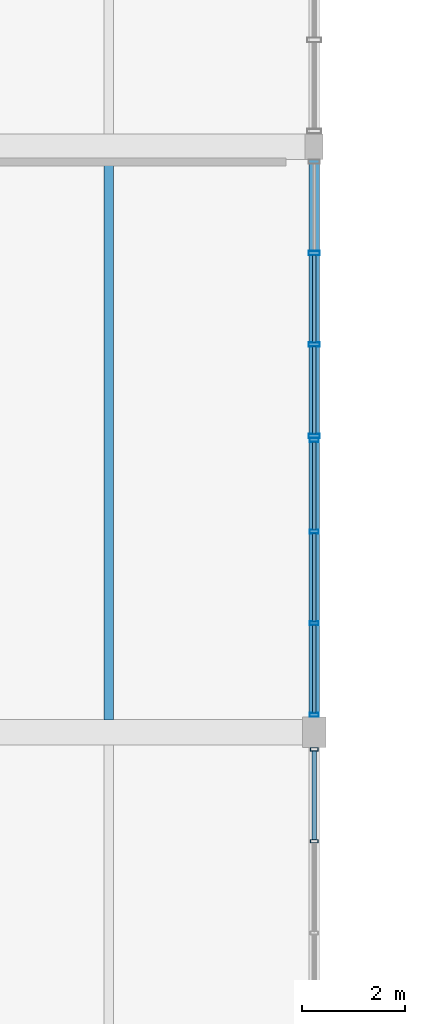
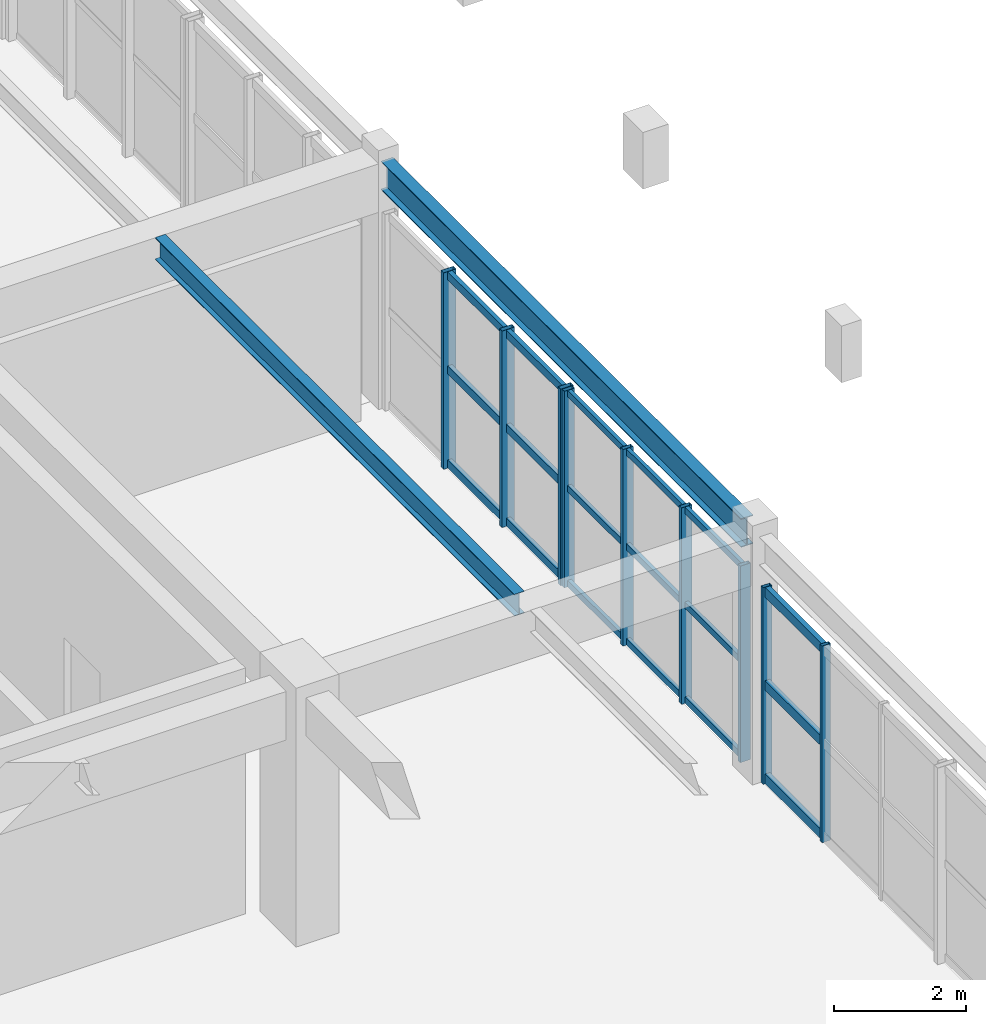
# One storey, part 25 of 106: 27 members, 2 beams, 3 elements without a shape of their own.
"""IFC4 building model written with IfcOpenShell, lengths in metres."""

from ifc_helpers import new_model, si_unit, direction, frame, origin, origin_2d, place, context, subcontext, project, spatial, hollow_rectangle, i_section, extrude, material, layer, layer_set, material_profile, profile_set, type_object, element, aggregate, save


model = new_model("IFC4")

# Units and contexts
model_context = context("Model", 3, precision=1e-05, world=origin(), true_north=direction((0.0, 1.0)))
body_context = subcontext(model_context, "Body", "Model", "MODEL_VIEW")
ifc_project = project(units=[si_unit("LENGTHUNIT", "METRE"), si_unit("AREAUNIT", "SQUARE_METRE"), si_unit("VOLUMEUNIT", "CUBIC_METRE"), si_unit("PLANEANGLEUNIT", "RADIAN"), si_unit("MASSUNIT", "GRAM", prefix="KILO"), si_unit("POWERUNIT", "WATT"), si_unit("THERMODYNAMICTEMPERATUREUNIT", "KELVIN")], contexts=[model_context])

# Site, building, storey
site_placement = place(None, origin())
site = spatial("IfcSite", under=ifc_project, at=site_placement, CompositionType="ELEMENT")
building_placement = place(site_placement, origin())
building = spatial("IfcBuilding", under=site, at=building_placement, Name="Kelmbourne Parkland Aquatics Centre", CompositionType="ELEMENT")
storey_placement = place(building_placement, frame((0.0, 0.0, 5.39990234375)))
storey = spatial("IfcBuildingStorey", under=building, at=storey_placement, Name="L01", CompositionType="ELEMENT", Elevation=5.39990234375)

# Beams
ifc_material_1 = material(Name="Structural steel AS/NZS 3679.1 Grade 300", Category="steel")
ifc_material_profile_1 = material_profile(ifc_material_1, i_section(OverallWidth=0.177978515625, OverallDepth=0.406005859375, WebThickness=0.0078125, FlangeThickness=0.0126953125, at=origin_2d()), Name="410UB59.7")
ifc_profile_set_1 = profile_set([ifc_material_profile_1], Name="Structural steel AS/NZS 3679.1 Grade 300")
beam_type_1 = type_object("IfcBeamType", Name="BM-J01", PredefinedType="JOIST", material=ifc_profile_set_1)
beam_1_placement = place(storey_placement, frame((36.0, 35.241943359375, 4.357177734375), z_axis=(0.0, 1.0, 0.0), x_axis=(-1.0, 0.0, 0.0)))
element("IfcBeam", 1, at=beam_1_placement, inside=storey, type_object=beam_type_1, Name="Secondary floor joist E-F/05-06 #1 (L02)", PredefinedType="JOIST", context=body_context, shape_type="SweptSolid", body=[
    extrude(i_section(OverallWidth=0.177978515625, OverallDepth=0.406005859375, WebThickness=0.0078125, FlangeThickness=0.0126953125, at=origin_2d()), origin(), (0.0, 0.0, 1.0), 10.916015625),
])
ifc_material_profile_2 = material_profile(ifc_material_1, i_section(OverallWidth=0.208984375, OverallDepth=0.532958984375, WebThickness=0.01025390625, FlangeThickness=0.015625, at=origin_2d()), Name="530UB92.4")
ifc_profile_set_2 = profile_set([ifc_material_profile_2], Name="Structural steel AS/NZS 3679.1 Grade 300")
beam_type_2 = type_object("IfcBeamType", Name="BM-SP02", PredefinedType="SPANDREL", material=ifc_profile_set_2)
beam_2_placement = place(storey_placement, frame((40.0, 35.2548828125, 4.293701171875), z_axis=(0.0, 1.0, 0.0), x_axis=(-1.0, 0.0, 0.0)))
element("IfcBeam", 2, at=beam_2_placement, inside=storey, type_object=beam_type_2, Name="Perimeter spandrel 05-06 Grid F (L02)", PredefinedType="SPANDREL", context=body_context, shape_type="SweptSolid", body=[
    extrude(i_section(OverallWidth=0.208984375, OverallDepth=0.532958984375, WebThickness=0.01025390625, FlangeThickness=0.015625, at=origin_2d()), origin(), (0.0, 0.0, 1.0), 10.940185546875),
])

# Curtain wall, members
ifc_material_2 = material(Name="Thermally broken anodised aluminium framing", Category="aluminium")
ifc_layer_1 = layer(ifc_material_2, 0.179931640625)
ifc_layer_set_1 = layer_set([ifc_layer_1], Name="Thermally broken anodised aluminium framing")
curtain_wall_type_1 = type_object("IfcCurtainWallType", Name="CW-14", PredefinedType="NOTDEFINED", material=ifc_layer_set_1)
curtain_wall_1_placement = place(storey_placement, origin())
curtain_wall_1 = element("IfcCurtainWall", 3, at=curtain_wall_1_placement, inside=storey, type_object=curtain_wall_type_1, Name="Facade curtain wall CW-L01-230", PredefinedType="NOTDEFINED")
ifc_material_profile_3 = material_profile(ifc_material_2, hollow_rectangle(XDim=0.06494140625, YDim=0.14990234375, WallThickness=0.00390625, at=origin_2d()), Name="CW-M 65x150")
ifc_profile_set_3 = profile_set([ifc_material_profile_3], Name="Thermally broken anodised aluminium framing")
member_type_1 = type_object("IfcMemberType", Name="MB-MUL-1", PredefinedType="MULLION", material=ifc_profile_set_3)
member_1_placement = place(storey_placement, frame((40.0, 32.87939453125, 0.0), z_axis=(0.0, 0.0, 1.0), x_axis=(0.0, 1.0, 0.0)))
member_1 = element("IfcMember", 4, at=member_1_placement, type_object=member_type_1, Name="CW-L01-230 mullion 2", PredefinedType="MULLION", context=body_context, shape_type="SweptSolid", body=[
    extrude(hollow_rectangle(XDim=0.06494140625, YDim=0.14990234375, WallThickness=0.00390625, at=origin_2d()), origin(), (0.0, 0.0, 1.0), 3.64501953125),
])
member_2_placement = place(storey_placement, frame((40.0, 34.66552734375, 0.0), z_axis=(0.0, 0.0, 1.0), x_axis=(0.0, 1.0, 0.0)))
member_2 = element("IfcMember", 5, at=member_2_placement, type_object=member_type_1, Name="CW-L01-230 mullion 3", PredefinedType="MULLION", context=body_context, shape_type="SweptSolid", body=[
    extrude(hollow_rectangle(XDim=0.06494140625, YDim=0.14990234375, WallThickness=0.00390625, at=origin_2d()), origin(), (0.0, 0.0, 1.0), 3.64501953125),
])

ifc_layer_2 = layer(ifc_material_2, 0.179931640625)
ifc_layer_set_2 = layer_set([ifc_layer_2], Name="Thermally broken anodised aluminium framing")
curtain_wall_type_2 = type_object("IfcCurtainWallType", Name="CW-15", PredefinedType="NOTDEFINED", material=ifc_layer_set_2)
curtain_wall_2_placement = place(storey_placement, origin())
curtain_wall_2 = element("IfcCurtainWall", 6, at=curtain_wall_2_placement, inside=storey, type_object=curtain_wall_type_2, Name="Facade curtain wall CW-L01-231", PredefinedType="NOTDEFINED")
ifc_material_profile_4 = material_profile(ifc_material_2, hollow_rectangle(XDim=0.074951171875, YDim=0.179931640625, WallThickness=0.00439453125, at=origin_2d()), Name="CW-M 75x180")
ifc_profile_set_4 = profile_set([ifc_material_profile_4], Name="Thermally broken anodised aluminium framing")
member_type_2 = type_object("IfcMemberType", Name="MB-MUL-2", PredefinedType="MULLION", material=ifc_profile_set_4)
member_3_placement = place(storey_placement, frame((40.0, 35.339599609375, 0.0), z_axis=(0.0, 0.0, 1.0), x_axis=(0.0, 1.0, 0.0)))
member_3 = element("IfcMember", 7, at=member_3_placement, type_object=member_type_2, Name="CW-L01-231 mullion 0", PredefinedType="MULLION", context=body_context, shape_type="SweptSolid", body=[
    extrude(hollow_rectangle(XDim=0.074951171875, YDim=0.179931640625, WallThickness=0.00439453125, at=origin_2d()), origin(), (0.0, 0.0, 1.0), 3.64501953125),
])
member_4_placement = place(storey_placement, frame((40.0, 37.122314453125, 0.0), z_axis=(0.0, 0.0, 1.0), x_axis=(0.0, 1.0, 0.0)))
member_4 = element("IfcMember", 8, at=member_4_placement, type_object=member_type_2, Name="CW-L01-231 mullion 1", PredefinedType="MULLION", context=body_context, shape_type="SweptSolid", body=[
    extrude(hollow_rectangle(XDim=0.074951171875, YDim=0.179931640625, WallThickness=0.00439453125, at=origin_2d()), origin(), (0.0, 0.0, 1.0), 3.64501953125),
])
member_5_placement = place(storey_placement, frame((40.0, 38.90478515625, 0.0), z_axis=(0.0, 0.0, 1.0), x_axis=(0.0, 1.0, 0.0)))
member_5 = element("IfcMember", 9, at=member_5_placement, type_object=member_type_2, Name="CW-L01-231 mullion 2", PredefinedType="MULLION", context=body_context, shape_type="SweptSolid", body=[
    extrude(hollow_rectangle(XDim=0.074951171875, YDim=0.179931640625, WallThickness=0.00439453125, at=origin_2d()), origin(), (0.0, 0.0, 1.0), 3.64501953125),
])
member_6_placement = place(storey_placement, frame((40.0, 40.6875, 0.0), z_axis=(0.0, 0.0, 1.0), x_axis=(0.0, 1.0, 0.0)))
member_6 = element("IfcMember", 10, at=member_6_placement, type_object=member_type_2, Name="CW-L01-231 mullion 3", PredefinedType="MULLION", context=body_context, shape_type="SweptSolid", body=[
    extrude(hollow_rectangle(XDim=0.074951171875, YDim=0.179931640625, WallThickness=0.00439453125, at=origin_2d()), origin(), (0.0, 0.0, 1.0), 3.64501953125),
])

ifc_layer_3 = layer(ifc_material_2, 0.179931640625)
ifc_layer_set_3 = layer_set([ifc_layer_3], Name="Thermally broken anodised aluminium framing")
curtain_wall_type_3 = type_object("IfcCurtainWallType", Name="CW-16", PredefinedType="NOTDEFINED", material=ifc_layer_set_3)
curtain_wall_3_placement = place(storey_placement, origin())
curtain_wall_3 = element("IfcCurtainWall", 11, at=curtain_wall_3_placement, inside=storey, type_object=curtain_wall_type_3, Name="Facade curtain wall CW-L01-232", PredefinedType="NOTDEFINED")
ifc_material_profile_5 = material_profile(ifc_material_2, hollow_rectangle(XDim=0.0849609375, YDim=0.219970703125, WallThickness=0.0048828125, at=origin_2d()), Name="CW-M 85x220")
ifc_profile_set_5 = profile_set([ifc_material_profile_5], Name="Thermally broken anodised aluminium framing")
member_type_3 = type_object("IfcMemberType", Name="MB-MUL-3", PredefinedType="MULLION", material=ifc_profile_set_5)
member_7_placement = place(storey_placement, frame((40.0, 40.767578125, 0.0), z_axis=(0.0, 0.0, 1.0), x_axis=(0.0, 1.0, 0.0)))
member_7 = element("IfcMember", 12, at=member_7_placement, type_object=member_type_3, Name="CW-L01-232 mullion 0", PredefinedType="MULLION", context=body_context, shape_type="SweptSolid", body=[
    extrude(hollow_rectangle(XDim=0.0849609375, YDim=0.219970703125, WallThickness=0.0048828125, at=origin_2d()), origin(), (0.0, 0.0, 1.0), 3.64501953125),
])
member_8_placement = place(storey_placement, frame((40.0, 42.546875, 0.0), z_axis=(0.0, 0.0, 1.0), x_axis=(0.0, 1.0, 0.0)))
member_8 = element("IfcMember", 13, at=member_8_placement, type_object=member_type_3, Name="CW-L01-232 mullion 1", PredefinedType="MULLION", context=body_context, shape_type="SweptSolid", body=[
    extrude(hollow_rectangle(XDim=0.0849609375, YDim=0.219970703125, WallThickness=0.0048828125, at=origin_2d()), origin(), (0.0, 0.0, 1.0), 3.64501953125),
])
member_9_placement = place(storey_placement, frame((40.0, 44.326171875, 0.0), z_axis=(0.0, 0.0, 1.0), x_axis=(0.0, 1.0, 0.0)))
member_9 = element("IfcMember", 14, at=member_9_placement, type_object=member_type_3, Name="CW-L01-232 mullion 2", PredefinedType="MULLION", context=body_context, shape_type="SweptSolid", body=[
    extrude(hollow_rectangle(XDim=0.0849609375, YDim=0.219970703125, WallThickness=0.0048828125, at=origin_2d()), origin(), (0.0, 0.0, 1.0), 3.64501953125),
])

# Member
ifc_material_profile_6 = material_profile(ifc_material_2, hollow_rectangle(XDim=0.06494140625, YDim=0.1201171875, WallThickness=0.00341796875, at=origin_2d()), Name="CW-T 65x120")
ifc_profile_set_6 = profile_set([ifc_material_profile_6], Name="Thermally broken anodised aluminium framing")
member_type_4 = type_object("IfcMemberType", Name="MB-TRN-1", PredefinedType="USERDEFINED", material=ifc_profile_set_6)
member_10_placement = place(storey_placement, frame((40.0, 35.373046875, 0.06298828125), z_axis=(0.0, 1.0, 0.0), x_axis=(-1.0, 0.0, 0.0)))
member_10 = element("IfcMember", 15, at=member_10_placement, type_object=member_type_4, Name="CW-L01-231 transom 0-0", ObjectType="TRANSOM", PredefinedType="USERDEFINED", context=body_context, shape_type="SweptSolid", body=[
    extrude(hollow_rectangle(XDim=0.06494140625, YDim=0.1201171875, WallThickness=0.00341796875, at=origin_2d()), origin(), (0.0, 0.0, 1.0), 1.715576171875),
])

member_11_placement = place(storey_placement, frame((40.0, 37.15576171875, 0.06298828125), z_axis=(0.0, 1.0, 0.0), x_axis=(-1.0, 0.0, 0.0)))
member_11 = element("IfcMember", 16, at=member_11_placement, type_object=member_type_4, Name="CW-L01-231 transom 0-1", ObjectType="TRANSOM", PredefinedType="USERDEFINED", context=body_context, shape_type="SweptSolid", body=[
    extrude(hollow_rectangle(XDim=0.06494140625, YDim=0.1201171875, WallThickness=0.00341796875, at=origin_2d()), origin(), (0.0, 0.0, 1.0), 1.715576171875),
])

member_12_placement = place(storey_placement, frame((40.0, 38.938232421875, 0.06298828125), z_axis=(0.0, 1.0, 0.0), x_axis=(-1.0, 0.0, 0.0)))
member_12 = element("IfcMember", 17, at=member_12_placement, type_object=member_type_4, Name="CW-L01-231 transom 0-2", ObjectType="TRANSOM", PredefinedType="USERDEFINED", context=body_context, shape_type="SweptSolid", body=[
    extrude(hollow_rectangle(XDim=0.06494140625, YDim=0.1201171875, WallThickness=0.00341796875, at=origin_2d()), origin(), (0.0, 0.0, 1.0), 1.7158203125),
])

member_13_placement = place(storey_placement, frame((40.0, 35.373046875, 1.822509765625), z_axis=(0.0, 1.0, 0.0), x_axis=(-1.0, 0.0, 0.0)))
member_13 = element("IfcMember", 18, at=member_13_placement, type_object=member_type_4, Name="CW-L01-231 transom 1-0", ObjectType="TRANSOM", PredefinedType="USERDEFINED", context=body_context, shape_type="SweptSolid", body=[
    extrude(hollow_rectangle(XDim=0.06494140625, YDim=0.1201171875, WallThickness=0.00341796875, at=origin_2d()), origin(), (0.0, 0.0, 1.0), 1.715576171875),
])

member_14_placement = place(storey_placement, frame((40.0, 37.15576171875, 1.822509765625), z_axis=(0.0, 1.0, 0.0), x_axis=(-1.0, 0.0, 0.0)))
member_14 = element("IfcMember", 19, at=member_14_placement, type_object=member_type_4, Name="CW-L01-231 transom 1-1", ObjectType="TRANSOM", PredefinedType="USERDEFINED", context=body_context, shape_type="SweptSolid", body=[
    extrude(hollow_rectangle(XDim=0.06494140625, YDim=0.1201171875, WallThickness=0.00341796875, at=origin_2d()), origin(), (0.0, 0.0, 1.0), 1.715576171875),
])

member_15_placement = place(storey_placement, frame((40.0, 38.938232421875, 1.822509765625), z_axis=(0.0, 1.0, 0.0), x_axis=(-1.0, 0.0, 0.0)))
member_15 = element("IfcMember", 20, at=member_15_placement, type_object=member_type_4, Name="CW-L01-231 transom 1-2", ObjectType="TRANSOM", PredefinedType="USERDEFINED", context=body_context, shape_type="SweptSolid", body=[
    extrude(hollow_rectangle(XDim=0.06494140625, YDim=0.1201171875, WallThickness=0.00341796875, at=origin_2d()), origin(), (0.0, 0.0, 1.0), 1.7158203125),
])

member_16_placement = place(storey_placement, frame((40.0, 35.373046875, 3.58203125), z_axis=(0.0, 1.0, 0.0), x_axis=(-1.0, 0.0, 0.0)))
member_16 = element("IfcMember", 21, at=member_16_placement, type_object=member_type_4, Name="CW-L01-231 transom 2-0", ObjectType="TRANSOM", PredefinedType="USERDEFINED", context=body_context, shape_type="SweptSolid", body=[
    extrude(hollow_rectangle(XDim=0.06494140625, YDim=0.1201171875, WallThickness=0.00341796875, at=origin_2d()), origin(), (0.0, 0.0, 1.0), 1.715576171875),
])

member_17_placement = place(storey_placement, frame((40.0, 37.15576171875, 3.58203125), z_axis=(0.0, 1.0, 0.0), x_axis=(-1.0, 0.0, 0.0)))
member_17 = element("IfcMember", 22, at=member_17_placement, type_object=member_type_4, Name="CW-L01-231 transom 2-1", ObjectType="TRANSOM", PredefinedType="USERDEFINED", context=body_context, shape_type="SweptSolid", body=[
    extrude(hollow_rectangle(XDim=0.06494140625, YDim=0.1201171875, WallThickness=0.00341796875, at=origin_2d()), origin(), (0.0, 0.0, 1.0), 1.715576171875),
])

member_18_placement = place(storey_placement, frame((40.0, 38.938232421875, 3.58203125), z_axis=(0.0, 1.0, 0.0), x_axis=(-1.0, 0.0, 0.0)))
member_18 = element("IfcMember", 23, at=member_18_placement, type_object=member_type_4, Name="CW-L01-231 transom 2-2", ObjectType="TRANSOM", PredefinedType="USERDEFINED", context=body_context, shape_type="SweptSolid", body=[
    extrude(hollow_rectangle(XDim=0.06494140625, YDim=0.1201171875, WallThickness=0.00341796875, at=origin_2d()), origin(), (0.0, 0.0, 1.0), 1.7158203125),
])

aggregate(curtain_wall_2, [member_3, member_4, member_5, member_6, member_10, member_11, member_12, member_13, member_14, member_15, member_16, member_17, member_18])

ifc_material_profile_7 = material_profile(ifc_material_2, hollow_rectangle(XDim=0.074951171875, YDim=0.14990234375, WallThickness=0.00390625, at=origin_2d()), Name="CW-T 75x150")
ifc_profile_set_7 = profile_set([ifc_material_profile_7], Name="Thermally broken anodised aluminium framing")
member_type_5 = type_object("IfcMemberType", Name="MB-TRN-2", PredefinedType="USERDEFINED", material=ifc_profile_set_7)
member_19_placement = place(storey_placement, frame((40.0, 40.805908203125, 0.078125), z_axis=(0.0, 1.0, 0.0), x_axis=(-1.0, 0.0, 0.0)))
member_19 = element("IfcMember", 24, at=member_19_placement, type_object=member_type_5, Name="CW-L01-232 transom 0-0", ObjectType="TRANSOM", PredefinedType="USERDEFINED", context=body_context, shape_type="SweptSolid", body=[
    extrude(hollow_rectangle(XDim=0.074951171875, YDim=0.14990234375, WallThickness=0.00390625, at=origin_2d()), origin(), (0.0, 0.0, 1.0), 1.702392578125),
])

member_20_placement = place(storey_placement, frame((40.0, 42.585205078125, 0.078125), z_axis=(0.0, 1.0, 0.0), x_axis=(-1.0, 0.0, 0.0)))
member_20 = element("IfcMember", 25, at=member_20_placement, type_object=member_type_5, Name="CW-L01-232 transom 0-1", ObjectType="TRANSOM", PredefinedType="USERDEFINED", context=body_context, shape_type="SweptSolid", body=[
    extrude(hollow_rectangle(XDim=0.074951171875, YDim=0.14990234375, WallThickness=0.00390625, at=origin_2d()), origin(), (0.0, 0.0, 1.0), 1.702392578125),
])

member_21_placement = place(storey_placement, frame((40.0, 40.805908203125, 1.822509765625), z_axis=(0.0, 1.0, 0.0), x_axis=(-1.0, 0.0, 0.0)))
member_21 = element("IfcMember", 26, at=member_21_placement, type_object=member_type_5, Name="CW-L01-232 transom 1-0", ObjectType="TRANSOM", PredefinedType="USERDEFINED", context=body_context, shape_type="SweptSolid", body=[
    extrude(hollow_rectangle(XDim=0.074951171875, YDim=0.14990234375, WallThickness=0.00390625, at=origin_2d()), origin(), (0.0, 0.0, 1.0), 1.702392578125),
])

member_22_placement = place(storey_placement, frame((40.0, 42.585205078125, 1.822509765625), z_axis=(0.0, 1.0, 0.0), x_axis=(-1.0, 0.0, 0.0)))
member_22 = element("IfcMember", 27, at=member_22_placement, type_object=member_type_5, Name="CW-L01-232 transom 1-1", ObjectType="TRANSOM", PredefinedType="USERDEFINED", context=body_context, shape_type="SweptSolid", body=[
    extrude(hollow_rectangle(XDim=0.074951171875, YDim=0.14990234375, WallThickness=0.00390625, at=origin_2d()), origin(), (0.0, 0.0, 1.0), 1.702392578125),
])

member_23_placement = place(storey_placement, frame((40.0, 40.805908203125, 3.567138671875), z_axis=(0.0, 1.0, 0.0), x_axis=(-1.0, 0.0, 0.0)))
member_23 = element("IfcMember", 28, at=member_23_placement, type_object=member_type_5, Name="CW-L01-232 transom 2-0", ObjectType="TRANSOM", PredefinedType="USERDEFINED", context=body_context, shape_type="SweptSolid", body=[
    extrude(hollow_rectangle(XDim=0.074951171875, YDim=0.14990234375, WallThickness=0.00390625, at=origin_2d()), origin(), (0.0, 0.0, 1.0), 1.702392578125),
])

member_24_placement = place(storey_placement, frame((40.0, 42.585205078125, 3.567138671875), z_axis=(0.0, 1.0, 0.0), x_axis=(-1.0, 0.0, 0.0)))
member_24 = element("IfcMember", 29, at=member_24_placement, type_object=member_type_5, Name="CW-L01-232 transom 2-1", ObjectType="TRANSOM", PredefinedType="USERDEFINED", context=body_context, shape_type="SweptSolid", body=[
    extrude(hollow_rectangle(XDim=0.074951171875, YDim=0.14990234375, WallThickness=0.00390625, at=origin_2d()), origin(), (0.0, 0.0, 1.0), 1.702392578125),
])

aggregate(curtain_wall_3, [member_7, member_8, member_9, member_19, member_20, member_21, member_22, member_23, member_24])

ifc_material_profile_8 = material_profile(ifc_material_2, hollow_rectangle(XDim=0.0849609375, YDim=0.179931640625, WallThickness=0.00439453125, at=origin_2d()), Name="CW-T 85x180")
ifc_profile_set_8 = profile_set([ifc_material_profile_8], Name="Thermally broken anodised aluminium framing")
member_type_6 = type_object("IfcMemberType", Name="MB-TRN-3", PredefinedType="USERDEFINED", material=ifc_profile_set_8)
member_25_placement = place(storey_placement, frame((40.0, 32.907958984375, 0.093017578125), z_axis=(0.0, 1.0, 0.0), x_axis=(-1.0, 0.0, 0.0)))
member_25 = element("IfcMember", 30, at=member_25_placement, type_object=member_type_6, Name="CW-L01-230 transom 0-2", ObjectType="TRANSOM", PredefinedType="USERDEFINED", context=body_context, shape_type="SweptSolid", body=[
    extrude(hollow_rectangle(XDim=0.0849609375, YDim=0.179931640625, WallThickness=0.00439453125, at=origin_2d()), origin(), (0.0, 0.0, 1.0), 1.72900390625),
])

member_26_placement = place(storey_placement, frame((40.0, 32.907958984375, 1.822509765625), z_axis=(0.0, 1.0, 0.0), x_axis=(-1.0, 0.0, 0.0)))
member_26 = element("IfcMember", 31, at=member_26_placement, type_object=member_type_6, Name="CW-L01-230 transom 1-2", ObjectType="TRANSOM", PredefinedType="USERDEFINED", context=body_context, shape_type="SweptSolid", body=[
    extrude(hollow_rectangle(XDim=0.0849609375, YDim=0.179931640625, WallThickness=0.00439453125, at=origin_2d()), origin(), (0.0, 0.0, 1.0), 1.72900390625),
])

member_27_placement = place(storey_placement, frame((40.0, 32.907958984375, 3.552001953125), z_axis=(0.0, 1.0, 0.0), x_axis=(-1.0, 0.0, 0.0)))
member_27 = element("IfcMember", 32, at=member_27_placement, type_object=member_type_6, Name="CW-L01-230 transom 2-2", ObjectType="TRANSOM", PredefinedType="USERDEFINED", context=body_context, shape_type="SweptSolid", body=[
    extrude(hollow_rectangle(XDim=0.0849609375, YDim=0.179931640625, WallThickness=0.00439453125, at=origin_2d()), origin(), (0.0, 0.0, 1.0), 1.72900390625),
])

aggregate(curtain_wall_1, [member_1, member_2, member_25, member_26, member_27])

save(model, "model.ifc")
